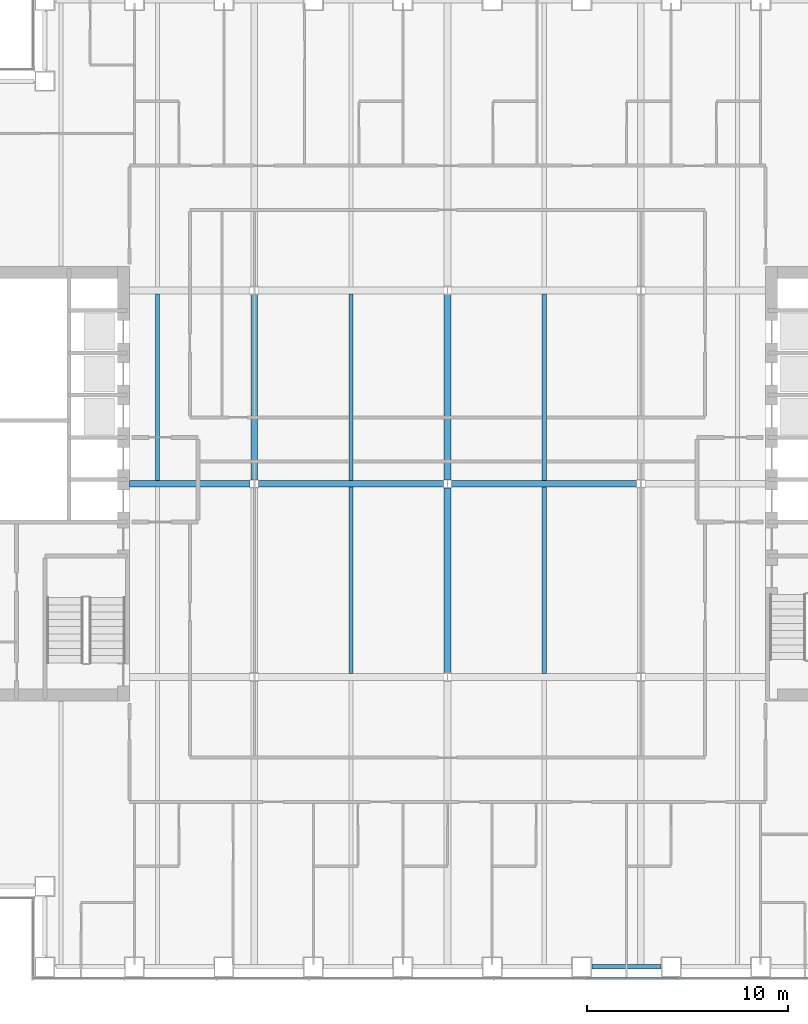
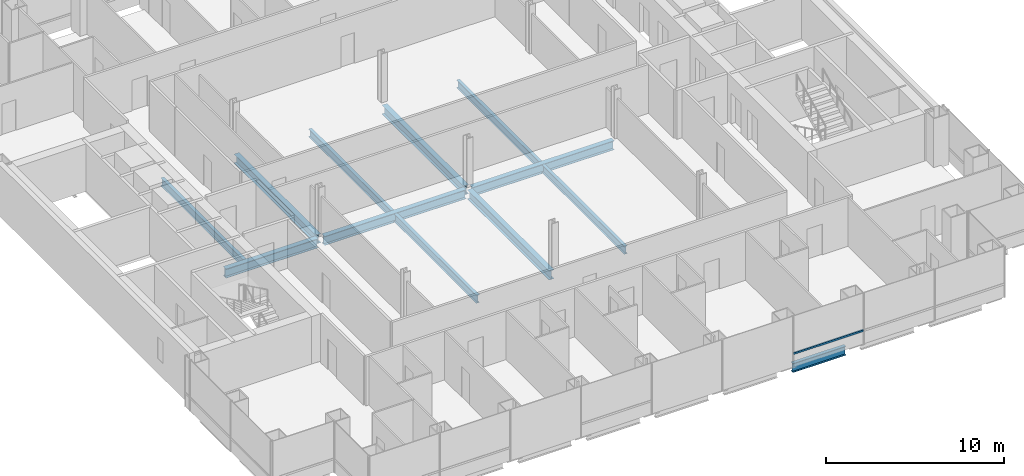
# One storey, part 4 of 21: 12 beams, 1 member, 1 element without a shape of its own.
"""IFC4 building model written with IfcOpenShell, lengths in metres."""

import ifcopenshell
import ifcopenshell.guid

model = None  # the IFC model being written
_history = None  # IfcOwnerHistory: only IFC2X3 demands one
_inside = {}  # id of a spatial element -> (the spatial element, [elements in it])
_under = {}  # id of a project, library or spatial element -> (it, [spatial elements below it])
_declared = {}  # id of a project -> (the project, [libraries it declares])
_typed = {}  # id of a type object -> (the type object, [elements of that type])
_made_of = {}  # id of a material, layer set ... -> (it, [elements and type objects made of it])


def new_model(schema):
    """Start an empty IFC model of exactly this schema.

    Asked for "IFC4X3", IfcOpenShell would pick the latest addendum, in which some entities
    have other attributes; the version numbers below select the first issue.
    IFC2X3 requires an IfcOwnerHistory on every rooted entity: one is made here for all.
    """
    global model, _history
    if schema == "IFC4X3":
        model = ifcopenshell.file(schema_version=(4, 3, 0, 0))
    else:
        model = ifcopenshell.file(schema=schema)
    _inside.clear()
    _under.clear()
    _declared.clear()
    _typed.clear()
    _made_of.clear()
    _history = None
    if model.schema == "IFC2X3":
        org = make("IfcOrganization", Name="unknown")
        user = make(
            "IfcPersonAndOrganization",
            ThePerson=make("IfcPerson", FamilyName="unknown"),
            TheOrganization=org,
        )
        app = make(
            "IfcApplication",
            ApplicationDeveloper=org,
            Version="unknown",
            ApplicationFullName="unknown",
            ApplicationIdentifier="unknown",
        )
        _history = make(
            "IfcOwnerHistory",
            OwningUser=user,
            OwningApplication=app,
            ChangeAction="ADDED",
            CreationDate=0,
        )
    return model


def make(cls, **values):
    """One entity of the class cls with the attributes given. An attribute that is None is left unset."""
    return model.create_entity(
        cls, **{name: value for name, value in values.items() if value is not None}
    )


def rooted(cls, **values):
    """An entity with a GlobalId (a new one), such as an element, a storey or a relation."""
    return make(cls, GlobalId=ifcopenshell.guid.new(), OwnerHistory=_history, **values)


def si_unit(unit_type, name, prefix=None):
    """IfcSIUnit, for example si_unit("LENGTHUNIT", "METRE", prefix="MILLI")."""
    return make("IfcSIUnit", UnitType=unit_type, Prefix=prefix, Name=name)


def assignment(units):
    """IfcUnitAssignment: the units of a project."""
    return None if units is None else make("IfcUnitAssignment", Units=units)


def point(xyz):
    """IfcCartesianPoint."""
    return None if xyz is None else make("IfcCartesianPoint", Coordinates=xyz)


def direction(xyz):
    """IfcDirection."""
    return None if xyz is None else make("IfcDirection", DirectionRatios=xyz)


def frame(location, z_axis=None, x_axis=None):
    """IfcAxis2Placement3D, a coordinate frame: its origin and axes. An axis left out is left unset."""
    return make(
        "IfcAxis2Placement3D",
        Location=point(location),
        Axis=direction(z_axis),
        RefDirection=direction(x_axis),
    )


def frame_2d(location, x_axis=None):
    """IfcAxis2Placement2D, a coordinate frame in the plane: its origin and x axis."""
    return make(
        "IfcAxis2Placement2D", Location=point(location), RefDirection=direction(x_axis)
    )


def origin():
    """The frame at (0, 0, 0) with its axes left unset."""
    return frame((0.0, 0.0, 0.0))


def origin_2d():
    """The frame at (0, 0) in the plane with its x axis left unset."""
    return frame_2d((0.0, 0.0))


def place(relative_to, where):
    """IfcLocalPlacement: puts the frame where relative to a parent placement (None: the world)."""
    return make(
        "IfcLocalPlacement", PlacementRelTo=relative_to, RelativePlacement=where
    )


def context(
    kind, dimensions, precision=None, world=None, true_north=None, identifier=None
):
    """IfcGeometricRepresentationContext, for example the 3D "Model" context."""
    return make(
        "IfcGeometricRepresentationContext",
        ContextIdentifier=identifier,
        ContextType=kind,
        CoordinateSpaceDimension=dimensions,
        Precision=precision,
        WorldCoordinateSystem=world,
        TrueNorth=true_north,
    )


def subcontext(parent, identifier, kind, view, scale=None):
    """IfcGeometricRepresentationSubContext, for example "Body" below "Model"."""
    return make(
        "IfcGeometricRepresentationSubContext",
        ContextIdentifier=identifier,
        ContextType=kind,
        ParentContext=parent,
        TargetScale=scale,
        TargetView=view,
    )


def project(units=None, contexts=None):
    """IfcProject with its units and contexts."""
    return rooted(
        "IfcProject",
        Name="project",
        RepresentationContexts=contexts,
        UnitsInContext=assignment(units),
    )


def spatial(cls, under=None, at=None, **own):
    """A site, building, storey or space (cls), placed at a placement, below another one or the project."""
    s = rooted(cls, ObjectPlacement=at, **own)
    if under is not None:
        _under.setdefault(under.id(), (under, []))[1].append(s)
    return s


def profile(cls, at=None, kind="AREA", **sizes):
    """A parametric profile (cls). Its sizes go by their IFC names, for example OverallWidth=200.0."""
    return make(cls, ProfileType=kind, Position=at, **sizes)


def rectangle(**sizes):
    """IfcRectangleProfileDef."""
    return profile("IfcRectangleProfileDef", **sizes)


def i_section(**sizes):
    """IfcIShapeProfileDef."""
    return profile("IfcIShapeProfileDef", **sizes)


def extrude(swept, where, along, depth):
    """IfcExtrudedAreaSolid: the profile swept, set in the frame where, extruded along a direction by depth."""
    return make(
        "IfcExtrudedAreaSolid",
        SweptArea=swept,
        Position=where,
        ExtrudedDirection=direction(along),
        Depth=depth,
    )


def shape(context_of_items, identifier, shape_type, items):
    """IfcShapeRepresentation: the items that make up one representation, for example the "Body"."""
    return make(
        "IfcShapeRepresentation",
        ContextOfItems=context_of_items,
        RepresentationIdentifier=identifier,
        RepresentationType=shape_type,
        Items=items,
    )


def material(Name=None, Category=None):
    """IfcMaterial."""
    return make("IfcMaterial", Name=Name, Category=Category)


def material_profile(
    of_material, cross_section, Name=None, Category=None, Priority=None
):
    """IfcMaterialProfile: a cross section and its material."""
    return make(
        "IfcMaterialProfile",
        Name=Name,
        Material=of_material,
        Profile=cross_section,
        Priority=Priority,
        Category=Category,
    )


def profile_set(profiles, Name=None, composite=None):
    """IfcMaterialProfileSet."""
    return make(
        "IfcMaterialProfileSet",
        Name=Name,
        MaterialProfiles=profiles,
        CompositeProfile=composite,
    )


def made_of(thing, what):
    """Note that an element or type object is made of a material, layer set ...; save() writes the relation."""
    if what is not None:
        _made_of.setdefault(what.id(), (what, []))[1].append(thing)
    return thing


def type_object(cls, material=None, **own):
    """A type object (cls), such as IfcWallType, which elements share."""
    return made_of(rooted(cls, **own), material)


def element(
    cls,
    number,
    at=None,
    inside=None,
    cuts=None,
    type_object=None,
    material=None,
    context=None,
    identifier="Body",
    shape_type=None,
    held_by="IfcProductDefinitionShape",
    body=None,
    shapes=None,
    **own,
):
    """One element of the class cls, such as IfcWall. Its Tag is "e" and its number.

    at: its placement. inside: the storey or other place that contains it. cuts: it is an
    opening in that element (IfcRelVoidsElement). A single representation is given by context,
    identifier, shape_type and body (its items); several are given by shapes. held_by: the class
    of the entity that holds the representations. save() writes the other relations.
    """
    e = rooted(cls, Tag="e%d" % number, ObjectPlacement=at, **own)
    if body is not None:
        shapes = [shape(context, identifier, shape_type, body)]
    if shapes is not None:
        e.Representation = make(held_by, Representations=shapes)
    if inside is not None:
        _inside.setdefault(inside.id(), (inside, []))[1].append(e)
    if cuts is not None:
        rooted(
            "IfcRelVoidsElement", RelatingBuildingElement=cuts, RelatedOpeningElement=e
        )
    if type_object is not None:
        _typed.setdefault(type_object.id(), (type_object, []))[1].append(e)
    return made_of(e, material)


def aggregate(whole, parts):
    """IfcRelAggregates: a whole, such as a stair, and the parts it consists of."""
    return rooted("IfcRelAggregates", RelatingObject=whole, RelatedObjects=parts)


def save(model, path):
    """Write the relations noted so far, then the file.

    IfcRelAggregates (storeys below a building ...), IfcRelContainedInSpatialStructure (elements
    in a storey), IfcRelDefinesByType, IfcRelAssociatesMaterial and IfcRelDeclares: one each for
    every whole, place, type object, material and project.
    """
    for whole, parts in _under.values():
        aggregate(whole, parts)
    for where, things in _inside.values():
        rooted(
            "IfcRelContainedInSpatialStructure",
            RelatedElements=things,
            RelatingStructure=where,
        )
    for kind, things in _typed.values():
        rooted("IfcRelDefinesByType", RelatedObjects=things, RelatingType=kind)
    for what, things in _made_of.values():
        rooted("IfcRelAssociatesMaterial", RelatedObjects=things, RelatingMaterial=what)
    for by, libraries in _declared.values():
        rooted("IfcRelDeclares", RelatingContext=by, RelatedDefinitions=libraries)
    model.write(path)


model = new_model("IFC4")

# Units and contexts
model_context = context("Model", 3, precision=1e-05, world=origin(), true_north=direction((0.0, 1.0)))
body_context = subcontext(model_context, "Body", "Model", "MODEL_VIEW")
ifc_project = project(units=[si_unit("LENGTHUNIT", "METRE"), si_unit("AREAUNIT", "SQUARE_METRE"), si_unit("VOLUMEUNIT", "CUBIC_METRE"), si_unit("PLANEANGLEUNIT", "RADIAN"), si_unit("MASSUNIT", "GRAM", prefix="KILO")], contexts=[model_context])

# Site, building, storey
site_placement = place(None, origin())
site = spatial("IfcSite", under=ifc_project, at=site_placement, CompositionType="ELEMENT")
building_placement = place(site_placement, origin())
building = spatial("IfcBuilding", under=site, at=building_placement, Name="Cobrizo Arcos Hotel Tower", CompositionType="ELEMENT")
storey_placement = place(building_placement, frame((0.0, 0.0, 42.5)))
storey = spatial("IfcBuildingStorey", under=building, at=storey_placement, Name="L08", CompositionType="ELEMENT", Elevation=42.5)

# Curtain wall, member
ifc_material_1 = material(Name="Aluminium 6063-T6 anodised bronze", Category="aluminium")
curtain_wall_type = type_object("IfcCurtainWallType", Name="CW-A guest facade", PredefinedType="NOTDEFINED", material=ifc_material_1)
curtain_wall_placement = place(storey_placement, origin())
curtain_wall = element("IfcCurtainWall", 1, at=curtain_wall_placement, inside=storey, type_object=curtain_wall_type, Name="CW-A L08 S face", PredefinedType="NOTDEFINED")
ifc_material_profile_1 = material_profile(ifc_material_1, rectangle(XDim=0.10009765625, YDim=0.1201171875, at=origin_2d()), Name="CW-A transom 120x100")
ifc_profile_set_1 = profile_set([ifc_material_profile_1], Name="Aluminium 6063-T6 anodised bronze")
member_type = type_object("IfcMemberType", Name="CW-A transom 120x100", PredefinedType="USERDEFINED", material=ifc_profile_set_1)
member_placement = place(storey_placement, frame((6.913330078125, -24.574951171875, 0.929931640625), z_axis=(1.0, 0.0, 0.0), x_axis=(0.0, 1.0, 0.0)))
member = element("IfcMember", 2, at=member_placement, type_object=member_type, Name="CW-A transom 405", ObjectType="TRANSOM", PredefinedType="USERDEFINED", context=body_context, shape_type="SweptSolid", body=[
    extrude(rectangle(XDim=0.10009765625, YDim=0.1201171875, at=origin_2d()), origin(), (0.0, 0.0, 1.0), 4.52880859375),
])
aggregate(curtain_wall, [member])

# Beams
ifc_material_2 = material(Name="Steel ASTM A992 Grade 50", Category="steel")
ifc_material_profile_2 = material_profile(ifc_material_2, i_section(OverallWidth=0.209228515625, OverallDepth=0.533447265625, WebThickness=0.01025390625, FlangeThickness=0.015625, at=origin_2d()), Name="W21X62")
ifc_profile_set_2 = profile_set([ifc_material_profile_2], Name="Steel ASTM A992 Grade 50")
beam_type_1 = type_object("IfcBeamType", Name="W21X62 joist", PredefinedType="JOIST", material=ifc_profile_set_2)
for number, where, z_axis, x_axis, name in (
    (3, (-14.39990234375, 0.163818359375, -0.416748046875), (0.0, 1.0, 0.0), (-1.0, 0.0, 0.0), "Floor joist J1, L08, no. 005"),
    (4, (-4.800048828125, -9.43603515625, -0.416748046875), (0.0, 1.0, 0.0), (-1.0, 0.0, 0.0), "Floor joist J1, L08, no. 008"),
    (5, (-4.800048828125, 0.163818359375, -0.416748046875), (0.0, 1.0, 0.0), (-1.0, 0.0, 0.0), "Floor joist J1, L08, no. 009"),
    (6, (4.800048828125, -9.43603515625, -0.416748046875), (0.0, 1.0, 0.0), (-1.0, 0.0, 0.0), "Floor joist J1, L08, no. 012"),
    (7, (4.800048828125, 0.163818359375, -0.416748046875), (0.0, 1.0, 0.0), (-1.0, 0.0, 0.0), "Floor joist J1, L08, no. 013"),
):
    element("IfcBeam", number, at=place(storey_placement, frame(where, z_axis=z_axis, x_axis=x_axis)), inside=storey, type_object=beam_type_1, Name=name, PredefinedType="JOIST", context=body_context, shape_type="SweptSolid", body=[
        extrude(i_section(OverallWidth=0.209228515625, OverallDepth=0.533447265625, WebThickness=0.01025390625, FlangeThickness=0.015625, at=origin_2d()), origin(), (0.0, 0.0, 1.0), 9.272216796875),
    ])
ifc_material_profile_3 = material_profile(ifc_material_2, i_section(OverallWidth=0.32763671875, OverallDepth=0.622314453125, WebThickness=0.015380859375, FlangeThickness=0.0244140625, at=origin_2d()), Name="W24X131")
ifc_profile_set_3 = profile_set([ifc_material_profile_3], Name="Steel ASTM A992 Grade 50")
beam_type_2 = type_object("IfcBeamType", Name="W24X131 girder", PredefinedType="BEAM", material=ifc_profile_set_3)
beam_1_placement = place(storey_placement, frame((-15.7900390625, 0.0, -0.461181640625), z_axis=(1.0, 0.0, 0.0), x_axis=(0.0, 1.0, 0.0)))
element("IfcBeam", 8, at=beam_1_placement, inside=storey, type_object=beam_type_2, Name="Floor girder G1, L08, no. 005", PredefinedType="BEAM", context=body_context, shape_type="SweptSolid", body=[
    extrude(i_section(OverallWidth=0.32763671875, OverallDepth=0.622314453125, WebThickness=0.015380859375, FlangeThickness=0.0244140625, at=origin_2d()), origin(), (0.0, 0.0, 1.0), 5.985595703125),
])
for number, where, z_axis, x_axis, name in (
    (9, (-9.3955078125, 0.0, -0.461181640625), (1.0, 0.0, 0.0), (0.0, 1.0, 0.0), "Floor girder G1, L08, no. 006"),
    (10, (0.204345703125, 0.0, -0.461181640625), (1.0, 0.0, 0.0), (0.0, 1.0, 0.0), "Floor girder G1, L08, no. 007"),
    (11, (-9.60009765625, 0.204345703125, -0.461181640625), (0.0, 1.0, 0.0), (-1.0, 0.0, 0.0), "Floor girder G1, L08, no. 015"),
    (12, (0.0, -9.3955078125, -0.461181640625), (0.0, 1.0, 0.0), (-1.0, 0.0, 0.0), "Floor girder G1, L08, no. 018"),
    (13, (0.0, 0.204345703125, -0.461181640625), (0.0, 1.0, 0.0), (-1.0, 0.0, 0.0), "Floor girder G1, L08, no. 019"),
):
    element("IfcBeam", number, at=place(storey_placement, frame(where, z_axis=z_axis, x_axis=x_axis)), inside=storey, type_object=beam_type_2, Name=name, PredefinedType="BEAM", context=body_context, shape_type="SweptSolid", body=[
        extrude(i_section(OverallWidth=0.32763671875, OverallDepth=0.622314453125, WebThickness=0.015380859375, FlangeThickness=0.0244140625, at=origin_2d()), origin(), (0.0, 0.0, 1.0), 9.191162109375),
    ])
ifc_material_profile_4 = material_profile(ifc_material_2, i_section(OverallWidth=0.23046875, OverallDepth=0.6171875, WebThickness=0.01318359375, FlangeThickness=0.022216796875, at=origin_2d()), Name="W24X94")
ifc_profile_set_4 = profile_set([ifc_material_profile_4], Name="Steel ASTM A992 Grade 50")
beam_type_3 = type_object("IfcBeamType", Name="W24X94 spandrel", PredefinedType="SPANDREL", material=ifc_profile_set_4)
beam_2_placement = place(storey_placement, frame((7.1669921875, -24.0, -0.45849609375), z_axis=(1.0, 0.0, 0.0), x_axis=(0.0, 1.0, 0.0)))
element("IfcBeam", 14, at=beam_2_placement, inside=storey, type_object=beam_type_3, Name="Spandrel beam W24X94, L08, no. 007", PredefinedType="SPANDREL", context=body_context, shape_type="SweptSolid", body=[
    extrude(i_section(OverallWidth=0.23046875, OverallDepth=0.6171875, WebThickness=0.01318359375, FlangeThickness=0.022216796875, at=origin_2d()), origin(), (0.0, 0.0, 1.0), 3.444091796875),
])

save(model, "model.ifc")
